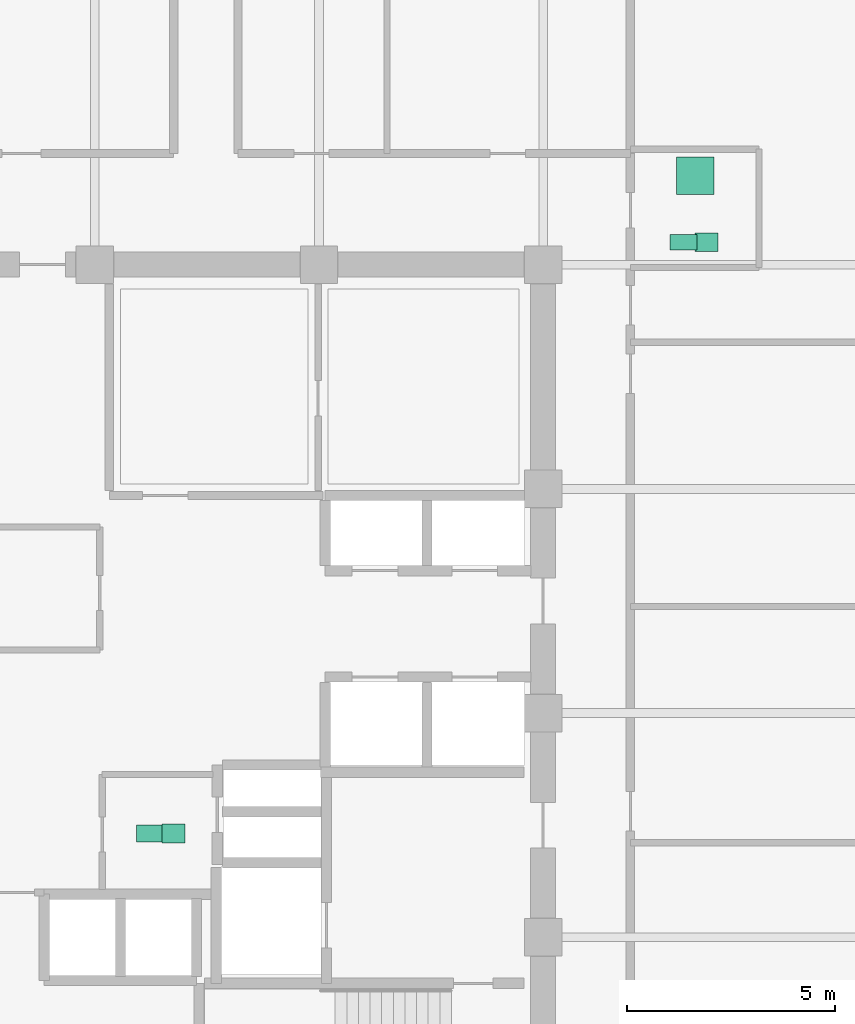
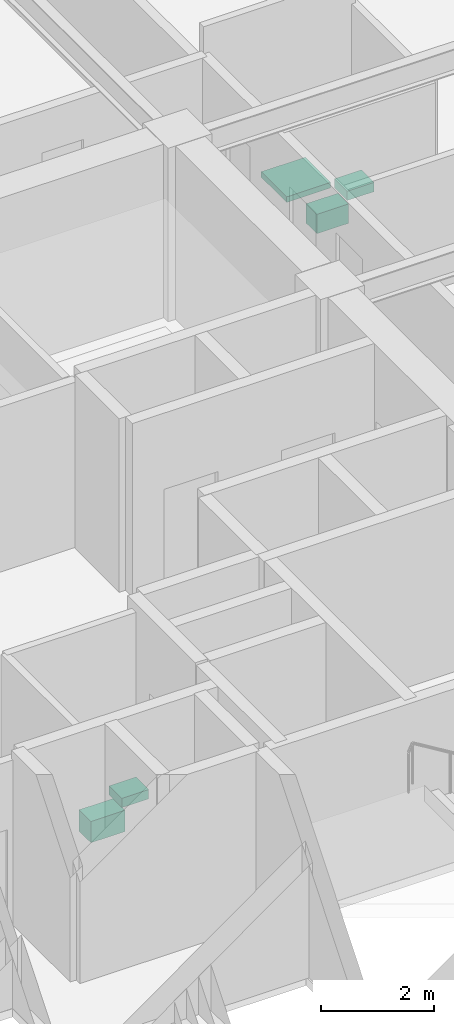
# One storey, part 32 of 32: 5 sanitary terminals.
"""IFC4 building model written with IfcOpenShell, lengths in metres."""

from ifc_helpers import new_model, si_unit, direction, frame, origin, origin_2d, place, context, subcontext, project, spatial, rectangle, extrude, material, type_object, element, save


model = new_model("IFC4")

# Units and contexts
model_context = context("Model", 3, precision=1e-05, world=origin(), true_north=direction((0.0, 1.0)))
body_context = subcontext(model_context, "Body", "Model", "MODEL_VIEW")
ifc_project = project(units=[si_unit("LENGTHUNIT", "METRE"), si_unit("AREAUNIT", "SQUARE_METRE"), si_unit("VOLUMEUNIT", "CUBIC_METRE"), si_unit("PLANEANGLEUNIT", "RADIAN"), si_unit("MASSUNIT", "GRAM", prefix="KILO")], contexts=[model_context])

# Site, building, storey
site_placement = place(None, origin())
site = spatial("IfcSite", under=ifc_project, at=site_placement, CompositionType="ELEMENT")
building_placement = place(site_placement, origin())
building = spatial("IfcBuilding", under=site, at=building_placement, Name="Surkhivell Harbour Commons", CompositionType="ELEMENT")
storey_placement = place(building_placement, frame((0.0, 0.0, 234.75)))
storey = spatial("IfcBuildingStorey", under=building, at=storey_placement, Name="L61", CompositionType="ELEMENT", Elevation=234.75)

# Sanitary terminals
ifc_material_1 = material(Name="Vitreous china washbasin", Category="other")
sanitary_terminal_type_1 = type_object("IfcSanitaryTerminalType", Name="SAN-BSN", PredefinedType="WASHHANDBASIN", material=ifc_material_1)
for number, where, z_axis, x_axis, name in (
    (1, (1.89990234375, -2.89990234375, 0.72021484375), (0.0, 0.0, 1.0), (1.0, 0.0, 0.0), "L61 Core Accessible WC Washbasin"),
    (2, (14.72998046875, 11.340087890625, 0.72021484375), (0.0, 0.0, 1.0), (1.0, 0.0, 0.0), "L61 East Communal Bathroom WC Washbasin"),
):
    element("IfcSanitaryTerminal", number, at=place(storey_placement, frame(where, z_axis=z_axis, x_axis=x_axis)), inside=storey, type_object=sanitary_terminal_type_1, Name=name, PredefinedType="WASHHANDBASIN", context=body_context, shape_type="SweptSolid", body=[
        extrude(rectangle(XDim=0.550048828125, YDim=0.449951171875, at=origin_2d()), origin(), (0.0, 0.0, 1.0), 0.199951171875),
    ])
ifc_material_2 = material(Name="Glazed porcelain shower tray", Category="other")
sanitary_terminal_type_2 = type_object("IfcSanitaryTerminalType", Name="SAN-SHW", PredefinedType="SHOWER", material=ifc_material_2)
sanitary_terminal_1_placement = place(storey_placement, frame((14.4599609375, 12.93994140625, 0.0), z_axis=(0.0, 0.0, 1.0), x_axis=(1.0, 0.0, 0.0)))
element("IfcSanitaryTerminal", 3, at=sanitary_terminal_1_placement, inside=storey, type_object=sanitary_terminal_type_2, Name="L61 East Communal Shower Tray", PredefinedType="SHOWER", context=body_context, shape_type="SweptSolid", body=[
    extrude(rectangle(XDim=0.89990234375, YDim=0.89990234375, at=origin_2d()), origin(), (0.0, 0.0, 1.0), 0.1201171875),
])
ifc_material_3 = material(Name="Vitreous china sanitaryware", Category="other")
sanitary_terminal_type_3 = type_object("IfcSanitaryTerminalType", Name="SAN-WC-ACC", PredefinedType="TOILETPAN", material=ifc_material_3)
sanitary_terminal_2_placement = place(storey_placement, frame((1.35009765625, -2.89990234375, 0.169921875), z_axis=(0.0, 0.0, 1.0), x_axis=(1.0, 0.0, 0.0)))
element("IfcSanitaryTerminal", 4, at=sanitary_terminal_2_placement, inside=storey, type_object=sanitary_terminal_type_3, Name="L61 Core Accessible WC", PredefinedType="TOILETPAN", context=body_context, shape_type="SweptSolid", body=[
    extrude(rectangle(XDim=0.699951171875, YDim=0.419921875, at=origin_2d()), origin(), (0.0, 0.0, 1.0), 0.4599609375),
])
sanitary_terminal_type_4 = type_object("IfcSanitaryTerminalType", Name="SAN-WC-STD", PredefinedType="TOILETPAN", material=ifc_material_3)
sanitary_terminal_3_placement = place(storey_placement, frame((14.179931640625, 11.340087890625, 0.18994140625), z_axis=(0.0, 0.0, 1.0), x_axis=(1.0, 0.0, 0.0)))
element("IfcSanitaryTerminal", 5, at=sanitary_terminal_3_placement, inside=storey, type_object=sanitary_terminal_type_4, Name="L61 East Communal Bathroom WC", PredefinedType="TOILETPAN", context=body_context, shape_type="SweptSolid", body=[
    extrude(rectangle(XDim=0.64990234375, YDim=0.3798828125, at=origin_2d()), origin(), (0.0, 0.0, 1.0), 0.419921875),
])

save(model, "model.ifc")
